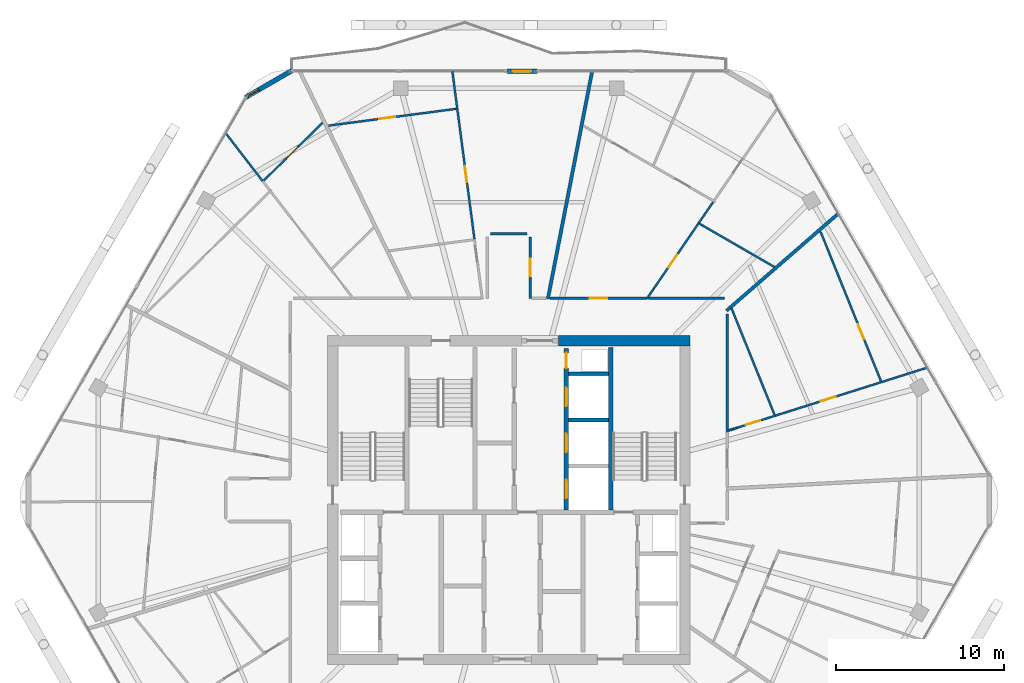
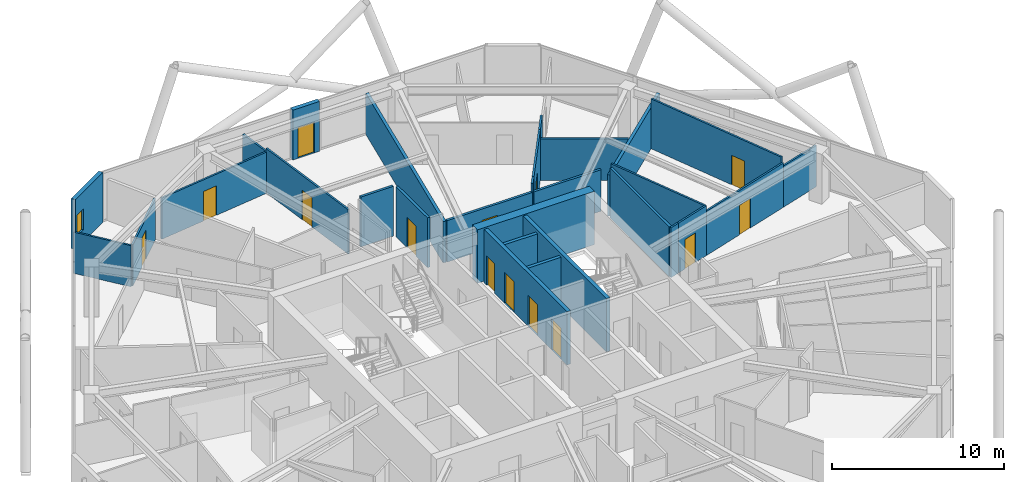
# One storey, part 24 of 27: 29 walls, 14 doors, 1 window, 15 openings.
"""IFC4 building model written with IfcOpenShell, lengths in metres."""

from ifc_helpers import new_model, si_unit, direction, frame, frame_2d, origin, place, context, subcontext, project, spatial, rectangle, extrude, material, layer, layer_set, type_object, element, fill, save


model = new_model("IFC4")

# Units and contexts
model_context = context("Model", 3, precision=1e-05, world=origin(), true_north=direction((0.0, 1.0)))
body_context = subcontext(model_context, "Body", "Model", "MODEL_VIEW")
ifc_project = project(units=[si_unit("LENGTHUNIT", "METRE"), si_unit("AREAUNIT", "SQUARE_METRE"), si_unit("VOLUMEUNIT", "CUBIC_METRE"), si_unit("PLANEANGLEUNIT", "RADIAN"), si_unit("MASSUNIT", "GRAM", prefix="KILO")], contexts=[model_context])

# Site, building, storey
site_placement = place(None, origin())
site = spatial("IfcSite", under=ifc_project, at=site_placement, CompositionType="ELEMENT")
building_placement = place(site_placement, origin())
building = spatial("IfcBuilding", under=site, at=building_placement, Name="Zuhravey Tower", CompositionType="ELEMENT")
storey_placement = place(building_placement, frame((0.0, 0.0, 276.800048828125)))
storey = spatial("IfcBuildingStorey", under=building, at=storey_placement, Name="L70", CompositionType="ELEMENT", Elevation=276.800048828125)

# Wall
ifc_material_1 = material(Name="Concrete C50/60", Category="concrete")
ifc_layer_1 = layer(ifc_material_1, 0.60009765625)
ifc_layer_set_1 = layer_set([ifc_layer_1], Name="Concrete C50/60")
wall_type_1 = type_object("IfcWallType", Name="Core Shear Wall 600", PredefinedType="SHEAR", material=ifc_layer_set_1)
wall_1_placement = place(storey_placement, frame((46.800048828125, 41.5, 0.0), z_axis=(0.0, 0.0, 1.0), x_axis=(-1.0, 0.0, 0.0)))
element("IfcWall", 1, at=wall_1_placement, inside=storey, type_object=wall_type_1, Name="L70 North-East Core Shear Wall CW60", PredefinedType="SHEAR", context=body_context, shape_type="SweptSolid", body=[
    extrude(rectangle(XDim=7.85009765625, YDim=0.60009765625, at=frame_2d((3.925048828125, 0.0))), origin(), (0.0, 0.0, 1.0), 3.800048828125),
])

# Wall, opening, door
ifc_material_2 = material(Name="Gypsum fire-rated stud partition")
ifc_layer_2 = layer(ifc_material_2, 0.159912109375)
ifc_layer_set_2 = layer_set([ifc_layer_2], Name="Gypsum fire-rated stud partition")
wall_type_2 = type_object("IfcWallType", Name="Corridor Fire Partition 160", PredefinedType="PARTITIONING", material=ifc_layer_set_2)
wall_2_placement = place(storey_placement, frame((44.22509765625, 44.030029296875, 0.0), z_axis=(0.0, 0.0, 1.0), x_axis=(-1.0, 0.0, 0.0)))
wall_2 = element("IfcWall", 2, at=wall_2_placement, inside=storey, type_object=wall_type_2, Name="L70 IW16 Partition 055", PredefinedType="PARTITIONING", context=body_context, shape_type="SweptSolid", body=[
    extrude(rectangle(XDim=5.757080078125, YDim=0.159912109375, at=frame_2d((2.87841796875, 0.0))), origin(), (0.0, 0.0, 1.0), 2.949951171875),
])
opening_1_placement = place(wall_2_placement, frame((2.353759765625, 0.0, 0.0)))
opening_1 = element("IfcOpeningElement", 3, at=opening_1_placement, cuts=wall_2, Name="Opening APD1", PredefinedType="OPENING", context=body_context, shape_type="SweptSolid", body=[
    extrude(rectangle(XDim=1.050048828125, YDim=2.14990234375, at=frame_2d((0.52490234375, 1.074951171875))), frame((0.0, 0.092041015625, 0.0), z_axis=(0.0, -1.0, 0.0), x_axis=(1.0, 0.0, 0.0)), (0.0, 0.0, 1.0), 0.183837890625),
])
ifc_material_3 = material(Name="Solid-core oak fire-rated leaf")
door_type_1 = type_object("IfcDoorType", Name="Apartment Entrance Fire Door 1050x2150", OperationType="NOTDEFINED", PredefinedType="DOOR", material=ifc_material_3)
door_1_placement = place(opening_1_placement, frame((1.050048828125, 0.0, 0.0), z_axis=(0.0, 0.0, 1.0), x_axis=(-1.0, 0.0, 0.0)))
door_1 = element("IfcDoor", 4, at=door_1_placement, inside=storey, type_object=door_type_1, Name="L70 Door 055.1", OperationType="SINGLE_SWING_LEFT", OverallHeight=2.14990234375, OverallWidth=1.050048828125, PredefinedType="DOOR", context=body_context, shape_type="SweptSolid", body=[
    extrude(rectangle(XDim=1.050048828125, YDim=2.14990234375, at=frame_2d((0.52490234375, 1.074951171875))), frame((0.0, 0.02490234375, 0.0), z_axis=(0.0, -1.0, 0.0), x_axis=(1.0, 0.0, 0.0)), (0.0, 0.0, 1.0), 0.050048828125),
])
fill(opening_1, door_1)

wall_3_placement = place(storey_placement, frame((37.280029296875, 44.030029296875, 0.0), z_axis=(0.0, 0.0, 1.0), x_axis=(0.0, 1.0, 0.0)))
wall_3 = element("IfcWall", 5, at=wall_3_placement, inside=storey, type_object=wall_type_2, Name="L70 IW16 Partition 059", PredefinedType="PARTITIONING", context=body_context, shape_type="SweptSolid", body=[
    extrude(rectangle(XDim=3.669921875, YDim=0.159912109375, at=frame_2d((1.8349609375, 0.0))), origin(), (0.0, 0.0, 1.0), 3.550048828125),
])
opening_2_placement = place(wall_3_placement, frame((1.31005859375, 0.0, 0.0)))
opening_2 = element("IfcOpeningElement", 6, at=opening_2_placement, cuts=wall_3, Name="Opening APD1", PredefinedType="OPENING", context=body_context, shape_type="SweptSolid", body=[
    extrude(rectangle(XDim=1.050048828125, YDim=2.14990234375, at=frame_2d((0.52490234375, 1.074951171875))), frame((0.0, 0.092041015625, 0.0), z_axis=(0.0, -1.0, 0.0), x_axis=(1.0, 0.0, 0.0)), (0.0, 0.0, 1.0), 0.183837890625),
])
door_2_placement = place(opening_2_placement, origin())
door_2 = element("IfcDoor", 7, at=door_2_placement, inside=storey, type_object=door_type_1, Name="L70 Door 059.1", OperationType="SINGLE_SWING_LEFT", OverallHeight=2.14990234375, OverallWidth=1.050048828125, PredefinedType="DOOR", context=body_context, shape_type="SweptSolid", body=[
    extrude(rectangle(XDim=1.050048828125, YDim=2.14990234375, at=frame_2d((0.52490234375, 1.074951171875))), frame((0.0, 0.02490234375, 0.0), z_axis=(0.0, -1.0, 0.0), x_axis=(1.0, 0.0, 0.0)), (0.0, 0.0, 1.0), 0.050048828125),
])
fill(opening_2, door_2)

# Walls
wall_4_placement = place(storey_placement, frame((49.030029296875, 36.194580078125, 0.0), z_axis=(0.0, 0.0, 1.0), x_axis=(0.0, 1.0, 0.0)))
element("IfcWall", 8, at=wall_4_placement, inside=storey, type_object=wall_type_2, Name="L70 IW16 Partition 130", PredefinedType="PARTITIONING", context=body_context, shape_type="SweptSolid", body=[
    extrude(rectangle(XDim=6.90771484375, YDim=0.159912109375, at=frame_2d((3.453857421875, 0.0))), origin(), (0.0, 0.0, 1.0), 3.550048828125),
])
wall_5_placement = place(storey_placement, frame((48.85009765625, 44.030029296875, 0.0), z_axis=(0.0, 0.0, 1.0), x_axis=(-1.0, 0.0, 0.0)))
element("IfcWall", 9, at=wall_5_placement, inside=storey, type_object=wall_type_2, Name="L70 IW16 Partition 131", PredefinedType="PARTITIONING", context=body_context, shape_type="SweptSolid", body=[
    extrude(rectangle(XDim=4.518310546875, YDim=0.159912109375, at=frame_2d((2.25927734375, 0.0))), origin(), (0.0, 0.0, 1.0), 2.949951171875),
])
wall_6_placement = place(storey_placement, frame((37.10009765625, 47.8798828125, 0.0), z_axis=(0.0, 0.0, 1.0), x_axis=(-1.0, 0.0, 0.0)))
element("IfcWall", 10, at=wall_6_placement, inside=storey, type_object=wall_type_2, Name="L70 IW16 Partition 133", PredefinedType="PARTITIONING", context=body_context, shape_type="SweptSolid", body=[
    extrude(rectangle(XDim=2.2001953125, YDim=0.159912109375, at=frame_2d((1.10009765625, 0.0))), origin(), (0.0, 0.0, 1.0), 3.550048828125),
])

# Wall, opening, window
ifc_material_4 = material(Name="Precast concrete C40/50", Category="concrete")
ifc_layer_3 = layer(ifc_material_4, 0.280029296875)
ifc_layer_set_3 = layer_set([ifc_layer_3], Name="Precast concrete C40/50")
wall_type_3 = type_object("IfcWallType", Name="Crown Architectural Wall 280", PredefinedType="SOLIDWALL", material=ifc_layer_set_3)
wall_7_placement = place(storey_placement, frame((20.285400390625, 56.003662109375, 0.0), z_axis=(0.0, 0.0, 1.0), x_axis=(0.866028773314, 0.499994163758, 0.0)))
wall_7 = element("IfcWall", 11, at=wall_7_placement, inside=storey, type_object=wall_type_3, Name="L70 Rounded Corner Closure Wall EW28-08", PredefinedType="SOLIDWALL", context=body_context, shape_type="SweptSolid", body=[
    extrude(rectangle(XDim=3.21484375, YDim=0.280029296875, at=frame_2d((1.607421875, 0.0))), origin(), (0.0, 0.0, 1.0), 3.550048828125),
])
opening_3_placement = place(wall_7_placement, frame((0.17578125, 0.0, 0.85009765625)))
opening_3 = element("IfcOpeningElement", 12, at=opening_3_placement, cuts=wall_7, Name="Opening WN5", PredefinedType="OPENING", context=body_context, shape_type="SweptSolid", body=[
    extrude(rectangle(XDim=0.75, YDim=1.5, at=frame_2d((0.375, 0.75))), frame((0.0, 0.152099609375, 0.0), z_axis=(0.0, -1.0, 0.0), x_axis=(1.0, 0.0, 0.0)), (0.0, 0.0, 1.0), 0.303955078125),
])
ifc_material_5 = material(Name="Thermally broken aluminium and triple low-E glass", Category="aluminium")
window_type = type_object("IfcWindowType", Name="Residential Corner Casement Window 750x1500", PartitioningType="SINGLE_PANEL", PredefinedType="WINDOW", material=ifc_material_5)
window_placement = place(opening_3_placement, origin())
window = element("IfcWindow", 13, at=window_placement, inside=storey, type_object=window_type, Name="L70 Corner Casement Window WN5-08.1", OverallHeight=1.5, OverallWidth=0.75, PartitioningType="SINGLE_PANEL", PredefinedType="WINDOW", context=body_context, shape_type="SweptSolid", body=[
    extrude(rectangle(XDim=0.75, YDim=1.5, at=frame_2d((0.375, 0.75))), frame((0.0, 0.030029296875, 0.0), z_axis=(0.0, -1.0, 0.0), x_axis=(1.0, 0.0, 0.0)), (0.0, 0.0, 1.0), 0.06005859375),
])
fill(opening_3, window)

# Wall, opening, door
wall_8_placement = place(storey_placement, frame((35.884521484375, 57.563720703125, 0.0), z_axis=(0.0, 0.0, 1.0), x_axis=(1.0, 0.0, 0.0)))
wall_8 = element("IfcWall", 14, at=wall_8_placement, inside=storey, type_object=wall_type_3, Name="L70 Face 2 Facade Pier EW28-1", PredefinedType="SOLIDWALL", context=body_context, shape_type="SweptSolid", body=[
    extrude(rectangle(XDim=1.7900390625, YDim=0.280029296875, at=frame_2d((0.89501953125, 0.0))), origin(), (0.0, 0.0, 1.0), 3.550048828125),
])
opening_4_placement = place(wall_8_placement, frame((0.344970703125, 0.0, 0.0)))
opening_4 = element("IfcOpeningElement", 15, at=opening_4_placement, cuts=wall_8, Name="Opening BLD1", PredefinedType="OPENING", context=body_context, shape_type="SweptSolid", body=[
    extrude(rectangle(XDim=1.10009765625, YDim=2.199951171875, at=frame_2d((0.550048828125, 1.10009765625))), frame((0.0, 0.152099609375, 0.0), z_axis=(0.0, -1.0, 0.0), x_axis=(1.0, 0.0, 0.0)), (0.0, 0.0, 1.0), 0.303955078125),
])
ifc_material_6 = material(Name="Thermally broken aluminium and low-E glass", Category="aluminium")
door_type_2 = type_object("IfcDoorType", Name="Balcony & Sky-Tray Glazed Door 1100x2200", OperationType="NOTDEFINED", PredefinedType="DOOR", material=ifc_material_6)
door_3_placement = place(opening_4_placement, frame((1.10009765625, 0.0, 0.0), z_axis=(0.0, 0.0, 1.0), x_axis=(-1.0, 0.0, 0.0)))
door_3 = element("IfcDoor", 16, at=door_3_placement, inside=storey, type_object=door_type_2, Name="L70 Face 2 Wave Balcony Door", OperationType="SINGLE_SWING_RIGHT", OverallHeight=2.199951171875, OverallWidth=1.10009765625, PredefinedType="DOOR", context=body_context, shape_type="SweptSolid", body=[
    extrude(rectangle(XDim=1.10009765625, YDim=2.199951171875, at=frame_2d((0.550048828125, 1.10009765625))), frame((0.0, 0.02490234375, 0.0), z_axis=(0.0, -1.0, 0.0), x_axis=(1.0, 0.0, 0.0)), (0.0, 0.0, 1.0), 0.050048828125),
])
fill(opening_4, door_3)

# Wall
ifc_layer_4 = layer(ifc_material_1, 0.25)
ifc_layer_set_4 = layer_set([ifc_layer_4], Name="Concrete C50/60")
wall_type_4 = type_object("IfcWallType", Name="Firefighting Shaft & Stair Wall 250", PredefinedType="SOLIDWALL", material=ifc_layer_set_4)
wall_9_placement = place(storey_placement, frame((42.074951171875, 31.39990234375, 0.0), z_axis=(0.0, 0.0, 1.0), x_axis=(0.0, 1.0, 0.0)))
element("IfcWall", 17, at=wall_9_placement, inside=storey, type_object=wall_type_4, Name="L70 FW25 Shaft Wall 006", PredefinedType="SOLIDWALL", context=body_context, shape_type="SweptSolid", body=[
    extrude(rectangle(XDim=9.7001953125, YDim=0.25, at=frame_2d((4.85009765625, 0.0))), origin(), (0.0, 0.0, 1.0), 3.800048828125),
])

# Wall, openings, doors
wall_10_placement = place(storey_placement, frame((39.425048828125, 31.39990234375, 0.0), z_axis=(0.0, 0.0, 1.0), x_axis=(0.0, 1.0, 0.0)))
wall_10 = element("IfcWall", 18, at=wall_10_placement, inside=storey, type_object=wall_type_4, Name="L70 FW25 Shaft Wall 008", PredefinedType="SOLIDWALL", context=body_context, shape_type="SweptSolid", body=[
    extrude(rectangle(XDim=9.650146484375, YDim=0.25, at=frame_2d((4.8251953125, 0.0))), origin(), (0.0, 0.0, 1.0), 3.800048828125),
])
opening_5_placement = place(wall_10_placement, frame((0.699951171875, 0.0, 0.0)))
opening_5 = element("IfcOpeningElement", 19, at=opening_5_placement, cuts=wall_10, Name="Opening LD1", PredefinedType="OPENING", context=body_context, shape_type="SweptSolid", body=[
    extrude(rectangle(XDim=1.10009765625, YDim=2.199951171875, at=frame_2d((0.550048828125, 1.10009765625))), frame((0.0, 0.136962890625, 0.0), z_axis=(0.0, -1.0, 0.0), x_axis=(1.0, 0.0, 0.0)), (0.0, 0.0, 1.0), 0.27392578125),
])
opening_6_placement = place(wall_10_placement, frame((3.449951171875, 0.0, 0.0)))
opening_6 = element("IfcOpeningElement", 20, at=opening_6_placement, cuts=wall_10, Name="Opening LD1", PredefinedType="OPENING", context=body_context, shape_type="SweptSolid", body=[
    extrude(rectangle(XDim=1.10009765625, YDim=2.199951171875, at=frame_2d((0.550048828125, 1.10009765625))), frame((0.0, 0.136962890625, 0.0), z_axis=(0.0, -1.0, 0.0), x_axis=(1.0, 0.0, 0.0)), (0.0, 0.0, 1.0), 0.27392578125),
])
opening_7_placement = place(wall_10_placement, frame((6.199951171875, 0.0, 0.0)))
opening_7 = element("IfcOpeningElement", 21, at=opening_7_placement, cuts=wall_10, Name="Opening LD1", PredefinedType="OPENING", context=body_context, shape_type="SweptSolid", body=[
    extrude(rectangle(XDim=1.10009765625, YDim=2.199951171875, at=frame_2d((0.550048828125, 1.10009765625))), frame((0.0, 0.136962890625, 0.0), z_axis=(0.0, -1.0, 0.0), x_axis=(1.0, 0.0, 0.0)), (0.0, 0.0, 1.0), 0.27392578125),
])
opening_8_placement = place(wall_10_placement, frame((8.469970703125, 0.0, 0.0)))
opening_8 = element("IfcOpeningElement", 22, at=opening_8_placement, cuts=wall_10, Name="Opening RSD1", PredefinedType="OPENING", context=body_context, shape_type="SweptSolid", body=[
    extrude(rectangle(XDim=0.89990234375, YDim=2.10009765625, at=frame_2d((0.449951171875, 1.050048828125))), frame((0.0, 0.136962890625, 0.0), z_axis=(0.0, -1.0, 0.0), x_axis=(1.0, 0.0, 0.0)), (0.0, 0.0, 1.0), 0.27392578125),
])
ifc_material_7 = material(Name="Brushed stainless steel", Category="steel")
door_type_3 = type_object("IfcDoorType", Name="Lift Landing Sliding Door 1100x2200", OperationType="DOUBLE_DOOR_SLIDING", PredefinedType="DOOR", material=ifc_material_7)
door_4_placement = place(opening_5_placement, origin())
door_4 = element("IfcDoor", 23, at=door_4_placement, inside=storey, type_object=door_type_3, Name="L70 Lift PL7 Landing Door", OperationType="DOUBLE_DOOR_SLIDING", OverallHeight=2.199951171875, OverallWidth=1.10009765625, PredefinedType="DOOR", context=body_context, shape_type="SweptSolid", body=[
    extrude(rectangle(XDim=1.10009765625, YDim=2.199951171875, at=frame_2d((0.550048828125, 1.10009765625))), frame((0.0, 0.02490234375, 0.0), z_axis=(0.0, -1.0, 0.0), x_axis=(1.0, 0.0, 0.0)), (0.0, 0.0, 1.0), 0.050048828125),
])
fill(opening_5, door_4)
door_5_placement = place(opening_6_placement, origin())
door_5 = element("IfcDoor", 24, at=door_5_placement, inside=storey, type_object=door_type_3, Name="L70 Lift PL8 Landing Door", OperationType="DOUBLE_DOOR_SLIDING", OverallHeight=2.199951171875, OverallWidth=1.10009765625, PredefinedType="DOOR", context=body_context, shape_type="SweptSolid", body=[
    extrude(rectangle(XDim=1.10009765625, YDim=2.199951171875, at=frame_2d((0.550048828125, 1.10009765625))), frame((0.0, 0.02490234375, 0.0), z_axis=(0.0, -1.0, 0.0), x_axis=(1.0, 0.0, 0.0)), (0.0, 0.0, 1.0), 0.050048828125),
])
fill(opening_6, door_5)
door_6_placement = place(opening_7_placement, origin())
door_6 = element("IfcDoor", 25, at=door_6_placement, inside=storey, type_object=door_type_3, Name="L70 Lift PL9 Landing Door", OperationType="DOUBLE_DOOR_SLIDING", OverallHeight=2.199951171875, OverallWidth=1.10009765625, PredefinedType="DOOR", context=body_context, shape_type="SweptSolid", body=[
    extrude(rectangle(XDim=1.10009765625, YDim=2.199951171875, at=frame_2d((0.550048828125, 1.10009765625))), frame((0.0, 0.02490234375, 0.0), z_axis=(0.0, -1.0, 0.0), x_axis=(1.0, 0.0, 0.0)), (0.0, 0.0, 1.0), 0.050048828125),
])
fill(opening_7, door_6)
ifc_material_8 = material(Name="Galvanised fire-rated steel access leaf", Category="steel")
door_type_4 = type_object("IfcDoorType", Name="Riser & Shaft Access Fire Door 900x2100", OperationType="NOTDEFINED", PredefinedType="DOOR", material=ifc_material_8)
door_7_placement = place(opening_8_placement, origin())
door_7 = element("IfcDoor", 26, at=door_7_placement, inside=storey, type_object=door_type_4, Name="L70 North Riser Door", OperationType="SINGLE_SWING_RIGHT", OverallHeight=2.10009765625, OverallWidth=0.89990234375, PredefinedType="DOOR", context=body_context, shape_type="SweptSolid", body=[
    extrude(rectangle(XDim=0.89990234375, YDim=2.10009765625, at=frame_2d((0.449951171875, 1.050048828125))), frame((0.0, 0.02490234375, 0.0), z_axis=(0.0, -1.0, 0.0), x_axis=(1.0, 0.0, 0.0)), (0.0, 0.0, 1.0), 0.050048828125),
])
fill(opening_8, door_7)

# Walls
ifc_material_9 = material(Name="Gypsum double-stud party assembly")
ifc_layer_5 = layer(ifc_material_9, 0.199951171875)
ifc_layer_set_5 = layer_set([ifc_layer_5], Name="Gypsum double-stud party assembly")
wall_type_5 = type_object("IfcWallType", Name="Inter-Tenancy Party Wall 200", PredefinedType="PARTITIONING", material=ifc_layer_set_5)
wall_11_placement = place(storey_placement, frame((48.989990234375, 43.2919921875, 0.0), z_axis=(0.0, 0.0, 1.0), x_axis=(0.754708486188, 0.656060287532, 0.0)))
element("IfcWall", 27, at=wall_11_placement, inside=storey, type_object=wall_type_5, Name="L70 IW20 Partition 102", PredefinedType="PARTITIONING", context=body_context, shape_type="SweptSolid", body=[
    extrude(rectangle(XDim=8.830322265625, YDim=0.199951171875, at=frame_2d((4.4150390625, 0.0))), origin(), (0.0, 0.0, 1.0), 2.929931640625),
])
wall_12_placement = place(storey_placement, frame((38.33056640625, 43.989990234375, 0.0), z_axis=(0.0, 0.0, 1.0), x_axis=(0.190806334077, 0.981627700748, 0.0)))
element("IfcWall", 28, at=wall_12_placement, inside=storey, type_object=wall_type_5, Name="L70 IW20 Partition 106", PredefinedType="PARTITIONING", context=body_context, shape_type="SweptSolid", body=[
    extrude(rectangle(XDim=13.827880859375, YDim=0.199951171875, at=frame_2d((6.9140625, 0.0))), origin(), (0.0, 0.0, 1.0), 2.929931640625),
])
ifc_material_10 = material(Name="Gypsum acoustic stud assembly")
ifc_layer_6 = layer(ifc_material_10, 0.219970703125)
ifc_layer_set_6 = layer_set([ifc_layer_6], Name="Gypsum acoustic stud assembly")
wall_type_6 = type_object("IfcWallType", Name="School Acoustic Compartment Wall 220", PredefinedType="PARTITIONING", material=ifc_layer_set_6)
for number, where, z_axis, x_axis, name in (
    (29, (39.55810546875, 36.77490234375, 0.0), (0.0, 0.0, 1.0), (1.0, 0.0, 0.0), "L70 IW22 Partition 068"),
    (30, (39.55810546875, 39.52490234375, 0.0), (0.0, 0.0, 1.0), (1.0, 0.0, 0.0), "L70 IW22 Partition 069"),
):
    element("IfcWall", number, at=place(storey_placement, frame(where, z_axis=z_axis, x_axis=x_axis)), inside=storey, type_object=wall_type_6, Name=name, PredefinedType="PARTITIONING", context=body_context, shape_type="SweptSolid", body=[
        extrude(rectangle(XDim=2.3837890625, YDim=0.219970703125, at=frame_2d((1.19189453125, 0.0))), origin(), (0.0, 0.0, 1.0), 3.550048828125),
    ])

# Wall, opening, door
ifc_material_11 = material(Name="Gypsum metal-stud partition")
ifc_layer_7 = layer(ifc_material_11, 0.1201171875)
ifc_layer_set_7 = layer_set([ifc_layer_7], Name="Gypsum metal-stud partition")
wall_type_7 = type_object("IfcWallType", Name="Unit Internal Partition 120", PredefinedType="PARTITIONING", material=ifc_layer_set_7)
wall_13_placement = place(storey_placement, frame((49.60009765625, 36.3037109375, 0.0), z_axis=(0.0, 0.0, 1.0), x_axis=(0.953397144665, 0.301718220439, 0.0)))
wall_13 = element("IfcWall", 31, at=wall_13_placement, inside=storey, type_object=wall_type_7, Name="L70 IW12 Partition 047", PredefinedType="PARTITIONING", context=body_context, shape_type="SweptSolid", body=[
    extrude(rectangle(XDim=2.408935546875, YDim=0.1201171875, at=frame_2d((1.20458984375, 0.0))), origin(), (0.0, 0.0, 1.0), 3.550048828125),
])
opening_9_placement = place(wall_13_placement, frame((0.561767578125, 0.0, 0.0)))
opening_9 = element("IfcOpeningElement", 32, at=opening_9_placement, cuts=wall_13, Name="Opening WCD1", PredefinedType="OPENING", context=body_context, shape_type="SweptSolid", body=[
    extrude(rectangle(XDim=0.89990234375, YDim=2.10009765625, at=frame_2d((0.449951171875, 1.050048828125))), frame((0.0, 0.072021484375, 0.0), z_axis=(0.0, -1.0, 0.0), x_axis=(1.0, 0.0, 0.0)), (0.0, 0.0, 1.0), 0.14404296875),
])
ifc_material_12 = material(Name="Moisture-resistant timber leaf", Category="wood")
door_type_5 = type_object("IfcDoorType", Name="Bathroom & WC Internal Door 900x2100", OperationType="NOTDEFINED", PredefinedType="DOOR", material=ifc_material_12)
door_8_placement = place(opening_9_placement, origin())
door_8 = element("IfcDoor", 33, at=door_8_placement, inside=storey, type_object=door_type_5, Name="Apartment L70-06 Bathroom Door", OperationType="SINGLE_SWING_LEFT", OverallHeight=2.10009765625, OverallWidth=0.89990234375, PredefinedType="DOOR", context=body_context, shape_type="SweptSolid", body=[
    extrude(rectangle(XDim=0.89990234375, YDim=2.10009765625, at=frame_2d((0.449951171875, 1.050048828125))), frame((0.0, 0.02490234375, 0.0), z_axis=(0.0, -1.0, 0.0), x_axis=(1.0, 0.0, 0.0)), (0.0, 0.0, 1.0), 0.050048828125),
])
fill(opening_9, door_8)

wall_14_placement = place(storey_placement, frame((51.896728515625, 37.030517578125, 0.0), z_axis=(0.0, 0.0, 1.0), x_axis=(0.953399562738, 0.301710579483, 0.0)))
wall_14 = element("IfcWall", 34, at=wall_14_placement, inside=storey, type_object=wall_type_7, Name="L70 IW12 Partition 048", PredefinedType="PARTITIONING", context=body_context, shape_type="SweptSolid", body=[
    extrude(rectangle(XDim=6.656494140625, YDim=0.1201171875, at=frame_2d((3.328125, 0.0))), origin(), (0.0, 0.0, 1.0), 3.14990234375),
])
opening_10_placement = place(wall_14_placement, frame((2.828125, 0.0, 0.0)))
opening_10 = element("IfcOpeningElement", 35, at=opening_10_placement, cuts=wall_14, Name="Opening IND1", PredefinedType="OPENING", context=body_context, shape_type="SweptSolid", body=[
    extrude(rectangle(XDim=0.949951171875, YDim=2.10009765625, at=frame_2d((0.47509765625, 1.050048828125))), frame((0.0, 0.072021484375, 0.0), z_axis=(0.0, -1.0, 0.0), x_axis=(1.0, 0.0, 0.0)), (0.0, 0.0, 1.0), 0.14404296875),
])
ifc_material_13 = material(Name="Painted engineered timber leaf", Category="wood")
door_type_6 = type_object("IfcDoorType", Name="Internal Room & Bedroom Door 950x2100", OperationType="NOTDEFINED", PredefinedType="DOOR", material=ifc_material_13)
door_9_placement = place(opening_10_placement, origin())
door_9 = element("IfcDoor", 36, at=door_9_placement, inside=storey, type_object=door_type_6, Name="Apartment L70-06 Home Office Door", OperationType="SINGLE_SWING_RIGHT", OverallHeight=2.10009765625, OverallWidth=0.949951171875, PredefinedType="DOOR", context=body_context, shape_type="SweptSolid", body=[
    extrude(rectangle(XDim=0.949951171875, YDim=2.10009765625, at=frame_2d((0.47509765625, 1.050048828125))), frame((0.0, 0.02490234375, 0.0), z_axis=(0.0, -1.0, 0.0), x_axis=(1.0, 0.0, 0.0)), (0.0, 0.0, 1.0), 0.050048828125),
])
fill(opening_10, door_9)

wall_15_placement = place(storey_placement, frame((58.193603515625, 39.094482421875, 0.0), z_axis=(0.0, 0.0, 1.0), x_axis=(-0.374623406107, 0.927177061621, 0.0)))
wall_15 = element("IfcWall", 37, at=wall_15_placement, inside=storey, type_object=wall_type_7, Name="L70 IW12 Partition 049", PredefinedType="PARTITIONING", context=body_context, shape_type="SweptSolid", body=[
    extrude(rectangle(XDim=9.61572265625, YDim=0.1201171875, at=frame_2d((4.807861328125, 0.0))), origin(), (0.0, 0.0, 1.0), 3.550048828125),
])
opening_11_placement = place(wall_15_placement, frame((2.70849609375, 0.0, 0.0)))
opening_11 = element("IfcOpeningElement", 38, at=opening_11_placement, cuts=wall_15, Name="Opening IND1", PredefinedType="OPENING", context=body_context, shape_type="SweptSolid", body=[
    extrude(rectangle(XDim=0.949951171875, YDim=2.10009765625, at=frame_2d((0.47509765625, 1.050048828125))), frame((0.0, 0.072021484375, 0.0), z_axis=(0.0, -1.0, 0.0), x_axis=(1.0, 0.0, 0.0)), (0.0, 0.0, 1.0), 0.14404296875),
])
door_10_placement = place(opening_11_placement, frame((0.949951171875, 0.0, 0.0), z_axis=(0.0, 0.0, 1.0), x_axis=(-1.0, 0.0, 0.0)))
door_10 = element("IfcDoor", 39, at=door_10_placement, inside=storey, type_object=door_type_6, Name="Apartment L70-06 Bedroom 1 Door", OperationType="SINGLE_SWING_LEFT", OverallHeight=2.10009765625, OverallWidth=0.949951171875, PredefinedType="DOOR", context=body_context, shape_type="SweptSolid", body=[
    extrude(rectangle(XDim=0.949951171875, YDim=2.10009765625, at=frame_2d((0.47509765625, 1.050048828125))), frame((0.0, 0.02490234375, 0.0), z_axis=(0.0, -1.0, 0.0), x_axis=(1.0, 0.0, 0.0)), (0.0, 0.0, 1.0), 0.050048828125),
])
fill(opening_11, door_10)

wall_16_placement = place(storey_placement, frame((44.640380859375, 44.60009765625, 0.0), z_axis=(0.0, 0.0, 1.0), x_axis=(0.565580143748, 0.824693337549, 0.0)))
wall_16 = element("IfcWall", 40, at=wall_16_placement, inside=storey, type_object=wall_type_7, Name="L70 IW12 Partition 052", PredefinedType="PARTITIONING", context=body_context, shape_type="SweptSolid", body=[
    extrude(rectangle(XDim=4.763916015625, YDim=0.1201171875, at=frame_2d((2.3818359375, 0.0))), origin(), (0.0, 0.0, 1.0), 3.550048828125),
])
opening_12_placement = place(wall_16_placement, frame((1.55078125, 0.0, 0.0)))
opening_12 = element("IfcOpeningElement", 41, at=opening_12_placement, cuts=wall_16, Name="Opening WCD1", PredefinedType="OPENING", context=body_context, shape_type="SweptSolid", body=[
    extrude(rectangle(XDim=0.89990234375, YDim=2.10009765625, at=frame_2d((0.449951171875, 1.050048828125))), frame((0.0, 0.072021484375, 0.0), z_axis=(0.0, -1.0, 0.0), x_axis=(1.0, 0.0, 0.0)), (0.0, 0.0, 1.0), 0.14404296875),
])
door_11_placement = place(opening_12_placement, frame((0.89990234375, 0.0, 0.0), z_axis=(0.0, 0.0, 1.0), x_axis=(-1.0, 0.0, 0.0)))
door_11 = element("IfcDoor", 42, at=door_11_placement, inside=storey, type_object=door_type_5, Name="Apartment L70-07 Bathroom Door", OperationType="SINGLE_SWING_LEFT", OverallHeight=2.10009765625, OverallWidth=0.89990234375, PredefinedType="DOOR", context=body_context, shape_type="SweptSolid", body=[
    extrude(rectangle(XDim=0.89990234375, YDim=2.10009765625, at=frame_2d((0.449951171875, 1.050048828125))), frame((0.0, 0.02490234375, 0.0), z_axis=(0.0, -1.0, 0.0), x_axis=(1.0, 0.0, 0.0)), (0.0, 0.0, 1.0), 0.050048828125),
])
fill(opening_12, door_11)

# Wall
wall_17_placement = place(storey_placement, frame((47.33447265625, 48.529052734375, 0.0), z_axis=(0.0, 0.0, 1.0), x_axis=(0.565607068306, 0.824674871863, 0.0)))
element("IfcWall", 43, at=wall_17_placement, inside=storey, type_object=wall_type_7, Name="L70 IW12 Partition 053", PredefinedType="PARTITIONING", context=body_context, shape_type="SweptSolid", body=[
    extrude(rectangle(XDim=1.5068359375, YDim=0.1201171875, at=frame_2d((0.75341796875, 0.0))), origin(), (0.0, 0.0, 1.0), 3.550048828125),
])

# Wall, opening, door
wall_18_placement = place(storey_placement, frame((33.951904296875, 47.556884765625, 0.0), z_axis=(0.0, 0.0, 1.0), x_axis=(-0.130526693002, 0.991444795444, 0.0)))
wall_18 = element("IfcWall", 44, at=wall_18_placement, inside=storey, type_object=wall_type_7, Name="L70 IW12 Partition 057", PredefinedType="PARTITIONING", context=body_context, shape_type="SweptSolid", body=[
    extrude(rectangle(XDim=7.87451171875, YDim=0.1201171875, at=frame_2d((3.937255859375, 0.0))), origin(), (0.0, 0.0, 1.0), 3.14990234375),
])
opening_13_placement = place(wall_18_placement, frame((3.437255859375, 0.0, 0.0)))
opening_13 = element("IfcOpeningElement", 45, at=opening_13_placement, cuts=wall_18, Name="Opening IND1", PredefinedType="OPENING", context=body_context, shape_type="SweptSolid", body=[
    extrude(rectangle(XDim=0.949951171875, YDim=2.10009765625, at=frame_2d((0.47509765625, 1.050048828125))), frame((0.0, 0.072021484375, 0.0), z_axis=(0.0, -1.0, 0.0), x_axis=(1.0, 0.0, 0.0)), (0.0, 0.0, 1.0), 0.14404296875),
])
door_12_placement = place(opening_13_placement, origin())
door_12 = element("IfcDoor", 46, at=door_12_placement, inside=storey, type_object=door_type_6, Name="Apartment L70-08 Home Office Door", OperationType="SINGLE_SWING_LEFT", OverallHeight=2.10009765625, OverallWidth=0.949951171875, PredefinedType="DOOR", context=body_context, shape_type="SweptSolid", body=[
    extrude(rectangle(XDim=0.949951171875, YDim=2.10009765625, at=frame_2d((0.47509765625, 1.050048828125))), frame((0.0, 0.02490234375, 0.0), z_axis=(0.0, -1.0, 0.0), x_axis=(1.0, 0.0, 0.0)), (0.0, 0.0, 1.0), 0.050048828125),
])
fill(opening_13, door_12)

wall_19_placement = place(storey_placement, frame((32.860107421875, 55.330322265625, 0.0), z_axis=(0.0, 0.0, 1.0), x_axis=(-0.991445968749, -0.130517780591, 0.0)))
wall_19 = element("IfcWall", 47, at=wall_19_placement, inside=storey, type_object=wall_type_7, Name="L70 IW12 Partition 058", PredefinedType="PARTITIONING", context=body_context, shape_type="SweptSolid", body=[
    extrude(rectangle(XDim=7.68603515625, YDim=0.1201171875, at=frame_2d((3.843017578125, 0.0))), origin(), (0.0, 0.0, 1.0), 2.929931640625),
])
opening_14_placement = place(wall_19_placement, frame((3.6767578125, 0.0, 0.0)))
opening_14 = element("IfcOpeningElement", 48, at=opening_14_placement, cuts=wall_19, Name="Opening IND1", PredefinedType="OPENING", context=body_context, shape_type="SweptSolid", body=[
    extrude(rectangle(XDim=0.949951171875, YDim=2.10009765625, at=frame_2d((0.47509765625, 1.050048828125))), frame((0.0, 0.072021484375, 0.0), z_axis=(0.0, -1.0, 0.0), x_axis=(1.0, 0.0, 0.0)), (0.0, 0.0, 1.0), 0.14404296875),
])
door_13_placement = place(opening_14_placement, frame((0.949951171875, 0.0, 0.0), z_axis=(0.0, 0.0, 1.0), x_axis=(-1.0, 0.0, 0.0)))
door_13 = element("IfcDoor", 49, at=door_13_placement, inside=storey, type_object=door_type_6, Name="Apartment L70-08 Bedroom 1 Door", OperationType="SINGLE_SWING_RIGHT", OverallHeight=2.10009765625, OverallWidth=0.949951171875, PredefinedType="DOOR", context=body_context, shape_type="SweptSolid", body=[
    extrude(rectangle(XDim=0.949951171875, YDim=2.10009765625, at=frame_2d((0.47509765625, 1.050048828125))), frame((0.0, 0.02490234375, 0.0), z_axis=(0.0, -1.0, 0.0), x_axis=(1.0, 0.0, 0.0)), (0.0, 0.0, 1.0), 0.050048828125),
])
fill(opening_14, door_13)

wall_20_placement = place(storey_placement, frame((24.8935546875, 54.500244140625, 0.0), z_axis=(0.0, 0.0, 1.0), x_axis=(-0.713280305257, -0.700878881214, 0.0)))
wall_20 = element("IfcWall", 50, at=wall_20_placement, inside=storey, type_object=wall_type_7, Name="L70 IW12 Partition 064", PredefinedType="PARTITIONING", context=body_context, shape_type="SweptSolid", body=[
    extrude(rectangle(XDim=4.921630859375, YDim=0.1201171875, at=frame_2d((2.4609375, 0.0))), origin(), (0.0, 0.0, 1.0), 2.929931640625),
])
opening_15_placement = place(wall_20_placement, frame((2.0703125, 0.0, 0.0)))
opening_15 = element("IfcOpeningElement", 51, at=opening_15_placement, cuts=wall_20, Name="Opening IND1", PredefinedType="OPENING", context=body_context, shape_type="SweptSolid", body=[
    extrude(rectangle(XDim=0.949951171875, YDim=2.10009765625, at=frame_2d((0.47509765625, 1.050048828125))), frame((0.0, 0.072021484375, 0.0), z_axis=(0.0, -1.0, 0.0), x_axis=(1.0, 0.0, 0.0)), (0.0, 0.0, 1.0), 0.14404296875),
])
door_14_placement = place(opening_15_placement, frame((0.949951171875, 0.0, 0.0), z_axis=(0.0, 0.0, 1.0), x_axis=(-1.0, 0.0, 0.0)))
door_14 = element("IfcDoor", 52, at=door_14_placement, inside=storey, type_object=door_type_6, Name="Apartment L70-09 Bedroom 1 Door", OperationType="SINGLE_SWING_LEFT", OverallHeight=2.10009765625, OverallWidth=0.949951171875, PredefinedType="DOOR", context=body_context, shape_type="SweptSolid", body=[
    extrude(rectangle(XDim=0.949951171875, YDim=2.10009765625, at=frame_2d((0.47509765625, 1.050048828125))), frame((0.0, 0.02490234375, 0.0), z_axis=(0.0, -1.0, 0.0), x_axis=(1.0, 0.0, 0.0)), (0.0, 0.0, 1.0), 0.050048828125),
])
fill(opening_15, door_14)

# Walls
wall_21_placement = place(storey_placement, frame((48.986083984375, 36.109619140625, 0.0), z_axis=(0.0, 0.0, 1.0), x_axis=(0.953496678804, 0.301403522723, 0.0)))
element("IfcWall", 53, at=wall_21_placement, inside=storey, type_object=wall_type_7, Name="L70 IW12 Partition 099", PredefinedType="PARTITIONING", context=body_context, shape_type="SweptSolid", body=[
    extrude(rectangle(XDim=0.64404296875, YDim=0.1201171875, at=frame_2d((0.322021484375, 0.0))), origin(), (0.0, 0.0, 1.0), 3.550048828125),
])
wall_22_placement = place(storey_placement, frame((58.242919921875, 39.038818359375, 0.0), z_axis=(0.0, 0.0, 1.0), x_axis=(0.953407887194, 0.301684273102, 0.0)))
element("IfcWall", 54, at=wall_22_placement, inside=storey, type_object=wall_type_7, Name="L70 IW12 Partition 100", PredefinedType="PARTITIONING", context=body_context, shape_type="SweptSolid", body=[
    extrude(rectangle(XDim=2.8525390625, YDim=0.1201171875, at=frame_2d((1.42626953125, 0.0))), origin(), (0.0, 0.0, 1.0), 2.929931640625),
])
wall_23_placement = place(storey_placement, frame((51.847412109375, 37.086181640625, 0.0), z_axis=(0.0, 0.0, 1.0), x_axis=(-0.374624981599, 0.927176425047, 0.0)))
element("IfcWall", 55, at=wall_23_placement, inside=storey, type_object=wall_type_7, Name="L70 IW12 Partition 101", PredefinedType="PARTITIONING", context=body_context, shape_type="SweptSolid", body=[
    extrude(rectangle(XDim=6.8798828125, YDim=0.1201171875, at=frame_2d((3.43994140625, 0.0))), origin(), (0.0, 0.0, 1.0), 3.550048828125),
])
wall_24_placement = place(storey_placement, frame((44.22509765625, 43.99462890625, 0.0), z_axis=(0.0, 0.0, 1.0), x_axis=(0.565625284297, 0.824662378046, 0.0)))
element("IfcWall", 56, at=wall_24_placement, inside=storey, type_object=wall_type_7, Name="L70 IW12 Partition 104", PredefinedType="PARTITIONING", context=body_context, shape_type="SweptSolid", body=[
    extrude(rectangle(XDim=0.734130859375, YDim=0.1201171875, at=frame_2d((0.3671875, 0.0))), origin(), (0.0, 0.0, 1.0), 3.550048828125),
])
wall_25_placement = place(storey_placement, frame((51.83056640625, 45.904296875, 0.0), z_axis=(0.0, 0.0, 1.0), x_axis=(-0.866030548046, 0.499991089772, 0.0)))
element("IfcWall", 57, at=wall_25_placement, inside=storey, type_object=wall_type_7, Name="L70 IW12 Partition 105", PredefinedType="PARTITIONING", context=body_context, shape_type="SweptSolid", body=[
    extrude(rectangle(XDim=5.1396484375, YDim=0.1201171875, at=frame_2d((2.56982421875, 0.0))), origin(), (0.0, 0.0, 1.0), 2.949951171875),
])
wall_26_placement = place(storey_placement, frame((32.924072265625, 55.364013671875, 0.0), z_axis=(0.0, 0.0, 1.0), x_axis=(-0.130545396872, 0.991442332844, 0.0)))
element("IfcWall", 58, at=wall_26_placement, inside=storey, type_object=wall_type_7, Name="L70 IW12 Partition 108", PredefinedType="PARTITIONING", context=body_context, shape_type="SweptSolid", body=[
    extrude(rectangle(XDim=2.2236328125, YDim=0.1201171875, at=frame_2d((1.11181640625, 0.0))), origin(), (0.0, 0.0, 1.0), 2.929931640625),
])
wall_27_placement = place(storey_placement, frame((21.31884765625, 51.022705078125, 0.0), z_axis=(0.0, 0.0, 1.0), x_axis=(-0.610999451225, 0.791631019227, 0.0)))
element("IfcWall", 59, at=wall_27_placement, inside=storey, type_object=wall_type_7, Name="L70 IW12 Partition 112", PredefinedType="PARTITIONING", context=body_context, shape_type="SweptSolid", body=[
    extrude(rectangle(XDim=3.6142578125, YDim=0.1201171875, at=frame_2d((1.80712890625, 0.0))), origin(), (0.0, 0.0, 1.0), 2.929931640625),
])

save(model, "model.ifc")
